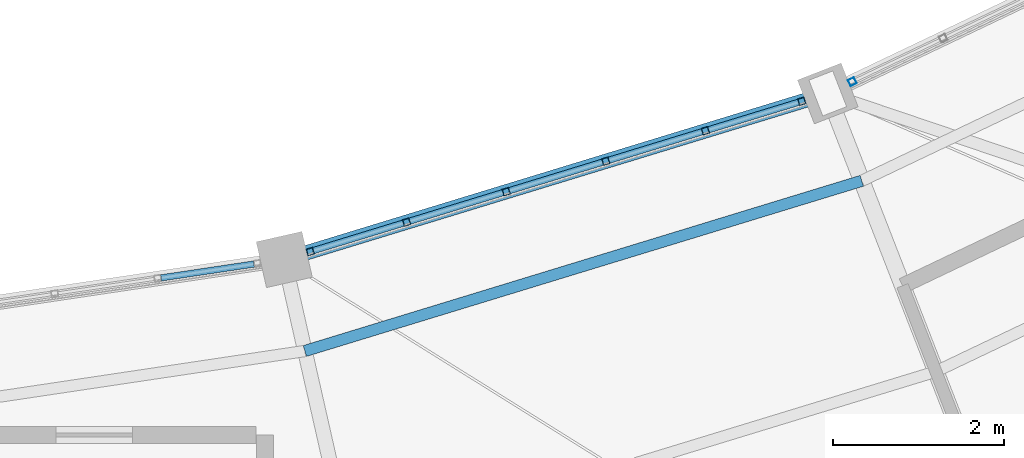
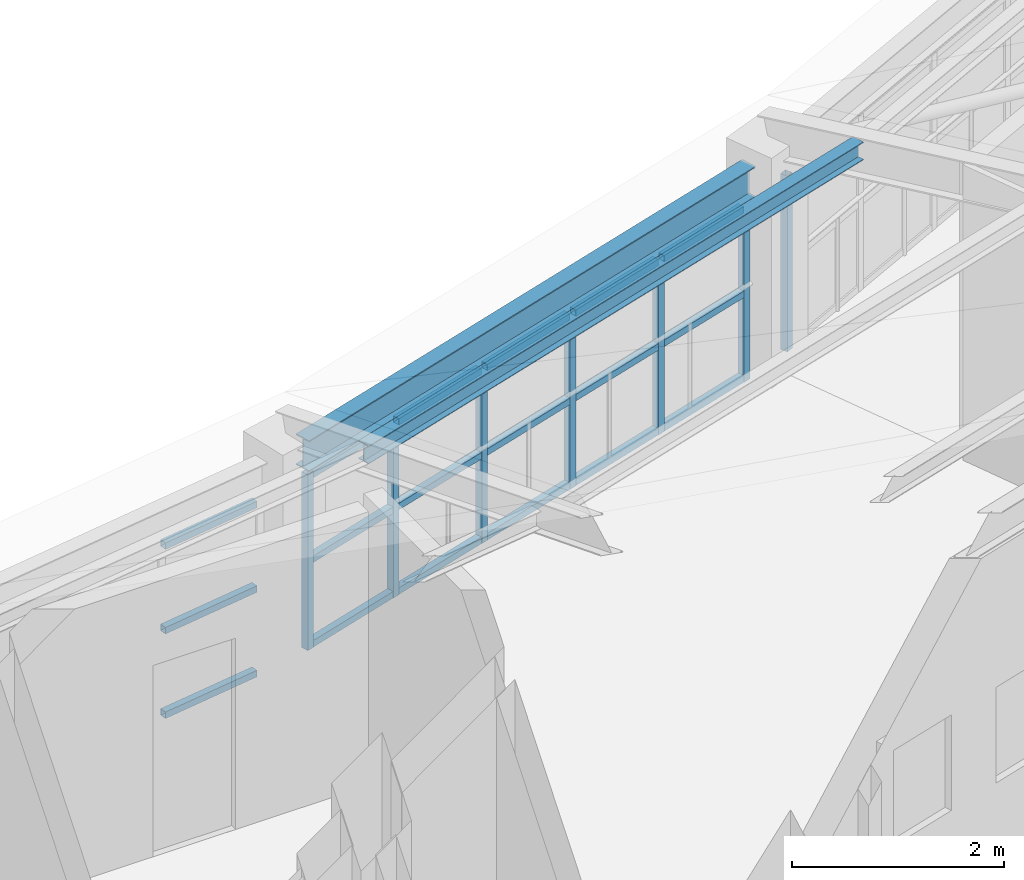
# One storey, part 42 of 149: 26 members, 1 beam, 3 elements without a shape of their own.
"""IFC4 building model written with IfcOpenShell, lengths in metres."""

from ifc_helpers import new_model, si_unit, direction, frame, origin, origin_2d, place, context, subcontext, project, spatial, hollow_rectangle, i_section, extrude, material, material_profile, profile_set, type_object, element, aggregate, save


model = new_model("IFC4")

# Units and contexts
model_context = context("Model", 3, precision=1e-05, world=origin(), true_north=direction((0.0, 1.0)))
body_context = subcontext(model_context, "Body", "Model", "MODEL_VIEW")
ifc_project = project(units=[si_unit("LENGTHUNIT", "METRE"), si_unit("AREAUNIT", "SQUARE_METRE"), si_unit("VOLUMEUNIT", "CUBIC_METRE"), si_unit("PLANEANGLEUNIT", "RADIAN"), si_unit("MASSUNIT", "GRAM", prefix="KILO")], contexts=[model_context])

# Site, building, storey
site_placement = place(None, origin())
site = spatial("IfcSite", under=ifc_project, at=site_placement, CompositionType="ELEMENT")
building_placement = place(site_placement, origin())
building = spatial("IfcBuilding", under=site, at=building_placement, Name="Celadon Cloister-Ring School", CompositionType="ELEMENT")
storey_placement = place(building_placement, frame((0.0, 0.0, 12.5)))
storey = spatial("IfcBuildingStorey", under=building, at=storey_placement, Name="L03", CompositionType="ELEMENT", Elevation=12.5)

# Curtain wall, members
ifc_material_1 = material(Name="Aluminium EN AW-6063 T6", Category="aluminium")
curtain_wall_type = type_object("IfcCurtainWallType", Name="CW-02", PredefinedType="USERDEFINED", material=ifc_material_1)
curtain_wall_1_placement = place(storey_placement, origin())
curtain_wall_1 = element("IfcCurtainWall", 1, at=curtain_wall_1_placement, inside=storey, type_object=curtain_wall_type, Name="Curtain Wall 0063", ObjectType="CURTAIN WALL", PredefinedType="USERDEFINED")
ifc_material_2 = material(Name="Aluminium EN AW-6063 T6", Category="aluminium")
ifc_material_profile_1 = material_profile(ifc_material_2, hollow_rectangle(XDim=0.080078125, YDim=0.080078125, WallThickness=0.00390625, at=origin_2d()), Name="RHS80X80X4")
ifc_profile_set_1 = profile_set([ifc_material_profile_1], Name="Aluminium EN AW-6063 T6")
member_type_1 = type_object("IfcMemberType", Name="CM-03", PredefinedType="MULLION", material=ifc_profile_set_1)
member_1_placement = place(storey_placement, frame((97.232177734375, 15.20166015625, 0.0), z_axis=(0.0, 0.0, 1.0), x_axis=(-0.292405705746, 0.956294360146, 0.0)))
member_1 = element("IfcMember", 2, at=member_1_placement, type_object=member_type_1, Name="CW-02 mullion 1", PredefinedType="MULLION", context=body_context, shape_type="SweptSolid", body=[
    extrude(hollow_rectangle(XDim=0.080078125, YDim=0.080078125, WallThickness=0.00390625, at=origin_2d()), origin(), (0.0, 0.0, 1.0), 2.02001953125),
])
member_2_placement = place(storey_placement, frame((98.3623046875, 15.547119140625, 0.0), z_axis=(0.0, 0.0, 1.0), x_axis=(-0.292405705746, 0.956294360146, 0.0)))
member_2 = element("IfcMember", 3, at=member_2_placement, type_object=member_type_1, Name="CW-02 mullion 2", PredefinedType="MULLION", context=body_context, shape_type="SweptSolid", body=[
    extrude(hollow_rectangle(XDim=0.080078125, YDim=0.080078125, WallThickness=0.00390625, at=origin_2d()), origin(), (0.0, 0.0, 1.0), 2.02001953125),
])
member_3_placement = place(storey_placement, frame((99.530517578125, 15.904296875, 0.0), z_axis=(0.0, 0.0, 1.0), x_axis=(-0.292405705746, 0.956294360146, 0.0)))
member_3 = element("IfcMember", 4, at=member_3_placement, type_object=member_type_1, Name="CW-02 mullion 3", PredefinedType="MULLION", context=body_context, shape_type="SweptSolid", body=[
    extrude(hollow_rectangle(XDim=0.080078125, YDim=0.080078125, WallThickness=0.00390625, at=origin_2d()), origin(), (0.0, 0.0, 1.0), 2.02001953125),
])
member_4_placement = place(storey_placement, frame((100.698486328125, 16.26171875, 0.0), z_axis=(0.0, 0.0, 1.0), x_axis=(-0.292405705746, 0.956294360146, 0.0)))
member_4 = element("IfcMember", 5, at=member_4_placement, type_object=member_type_1, Name="CW-02 mullion 4", PredefinedType="MULLION", context=body_context, shape_type="SweptSolid", body=[
    extrude(hollow_rectangle(XDim=0.080078125, YDim=0.080078125, WallThickness=0.00390625, at=origin_2d()), origin(), (0.0, 0.0, 1.0), 2.02001953125),
])
member_5_placement = place(storey_placement, frame((101.86669921875, 16.618896484375, 0.0), z_axis=(0.0, 0.0, 1.0), x_axis=(-0.292405705746, 0.956294360146, 0.0)))
member_5 = element("IfcMember", 6, at=member_5_placement, type_object=member_type_1, Name="CW-02 mullion 5", PredefinedType="MULLION", context=body_context, shape_type="SweptSolid", body=[
    extrude(hollow_rectangle(XDim=0.080078125, YDim=0.080078125, WallThickness=0.00390625, at=origin_2d()), origin(), (0.0, 0.0, 1.0), 2.02001953125),
])
member_6_placement = place(storey_placement, frame((102.996826171875, 16.96435546875, 0.0), z_axis=(0.0, 0.0, 1.0), x_axis=(-0.292405705746, 0.956294360146, 0.0)))
member_6 = element("IfcMember", 7, at=member_6_placement, type_object=member_type_1, Name="CW-02 mullion 6", PredefinedType="MULLION", context=body_context, shape_type="SweptSolid", body=[
    extrude(hollow_rectangle(XDim=0.080078125, YDim=0.080078125, WallThickness=0.00390625, at=origin_2d()), origin(), (0.0, 0.0, 1.0), 2.02001953125),
])

# Curtain wall, member
curtain_wall_2_placement = place(storey_placement, origin())
curtain_wall_2 = element("IfcCurtainWall", 8, at=curtain_wall_2_placement, inside=storey, type_object=curtain_wall_type, Name="Curtain Wall 0064", ObjectType="CURTAIN WALL", PredefinedType="USERDEFINED")
member_7_placement = place(storey_placement, frame((103.590087890625, 17.1943359375, 0.0), z_axis=(0.0, 0.0, 1.0), x_axis=(-0.430371984189, 0.902651624507, 0.0)))
member_7 = element("IfcMember", 9, at=member_7_placement, type_object=member_type_1, Name="CW-02 mullion 1", PredefinedType="MULLION", context=body_context, shape_type="SweptSolid", body=[
    extrude(hollow_rectangle(XDim=0.080078125, YDim=0.080078125, WallThickness=0.00390625, at=origin_2d()), origin(), (0.0, 0.0, 1.0), 2.02001953125),
])
aggregate(curtain_wall_2, [member_7])

# Curtain wall, members
curtain_wall_3_placement = place(storey_placement, origin())
curtain_wall_3 = element("IfcCurtainWall", 10, at=curtain_wall_3_placement, inside=storey, type_object=curtain_wall_type, Name="Curtain Wall 0062", ObjectType="CURTAIN WALL", PredefinedType="USERDEFINED")
ifc_material_3 = material(Name="Aluminium EN AW-6063 T6", Category="aluminium")
ifc_material_profile_2 = material_profile(ifc_material_3, hollow_rectangle(XDim=0.074951171875, YDim=0.074951171875, WallThickness=0.00390625, at=origin_2d()), Name="RHS75X75X4")
ifc_profile_set_2 = profile_set([ifc_material_profile_2], Name="Aluminium EN AW-6063 T6")
member_type_2 = type_object("IfcMemberType", Name="CTM-03", PredefinedType="USERDEFINED", material=ifc_profile_set_2)
member_8_placement = place(storey_placement, frame((95.482177734375, 14.893310546875, 0.03759765625), z_axis=(0.989015857499, 0.147809450359, 0.0), x_axis=(-0.147809450359, 0.989015857499, 0.0)))
member_8 = element("IfcMember", 11, at=member_8_placement, type_object=member_type_2, Name="CW-02 transom 5.1", ObjectType="TRANSOM", PredefinedType="USERDEFINED", context=body_context, shape_type="SweptSolid", body=[
    extrude(hollow_rectangle(XDim=0.074951171875, YDim=0.074951171875, WallThickness=0.00390625, at=origin_2d()), origin(), (0.0, 0.0, 1.0), 1.101806640625),
])
member_9_placement = place(storey_placement, frame((95.482177734375, 14.893310546875, 1.010009765625), z_axis=(0.989015857499, 0.147809450359, 0.0), x_axis=(-0.147809450359, 0.989015857499, 0.0)))
member_9 = element("IfcMember", 12, at=member_9_placement, type_object=member_type_2, Name="CW-02 transom 5.2", ObjectType="TRANSOM", PredefinedType="USERDEFINED", context=body_context, shape_type="SweptSolid", body=[
    extrude(hollow_rectangle(XDim=0.074951171875, YDim=0.074951171875, WallThickness=0.00390625, at=origin_2d()), origin(), (0.0, 0.0, 1.0), 1.101806640625),
])
member_10_placement = place(storey_placement, frame((95.482177734375, 14.893310546875, 1.982421875), z_axis=(0.989015857499, 0.147809450359, 0.0), x_axis=(-0.147809450359, 0.989015857499, 0.0)))
member_10 = element("IfcMember", 13, at=member_10_placement, type_object=member_type_2, Name="CW-02 transom 5.3", ObjectType="TRANSOM", PredefinedType="USERDEFINED", context=body_context, shape_type="SweptSolid", body=[
    extrude(hollow_rectangle(XDim=0.074951171875, YDim=0.074951171875, WallThickness=0.00390625, at=origin_2d()), origin(), (0.0, 0.0, 1.0), 1.101806640625),
])
aggregate(curtain_wall_3, [member_8, member_9, member_10])

# Member
member_11_placement = place(storey_placement, frame((97.2705078125, 15.21337890625, 0.03759765625), z_axis=(0.956318876314, 0.292325515147, 0.0), x_axis=(-0.292325515147, 0.956318876314, 0.0)))
member_11 = element("IfcMember", 14, at=member_11_placement, type_object=member_type_2, Name="CW-02 transom 1.1", ObjectType="TRANSOM", PredefinedType="USERDEFINED", context=body_context, shape_type="SweptSolid", body=[
    extrude(hollow_rectangle(XDim=0.074951171875, YDim=0.074951171875, WallThickness=0.00390625, at=origin_2d()), origin(), (0.0, 0.0, 1.0), 1.1015625),
])

member_12_placement = place(storey_placement, frame((97.2705078125, 15.21337890625, 1.010009765625), z_axis=(0.956318876314, 0.292325515147, 0.0), x_axis=(-0.292325515147, 0.956318876314, 0.0)))
member_12 = element("IfcMember", 15, at=member_12_placement, type_object=member_type_2, Name="CW-02 transom 1.2", ObjectType="TRANSOM", PredefinedType="USERDEFINED", context=body_context, shape_type="SweptSolid", body=[
    extrude(hollow_rectangle(XDim=0.074951171875, YDim=0.074951171875, WallThickness=0.00390625, at=origin_2d()), origin(), (0.0, 0.0, 1.0), 1.1015625),
])

member_13_placement = place(storey_placement, frame((97.2705078125, 15.21337890625, 1.982421875), z_axis=(0.956318876314, 0.292325515147, 0.0), x_axis=(-0.292325515147, 0.956318876314, 0.0)))
member_13 = element("IfcMember", 16, at=member_13_placement, type_object=member_type_2, Name="CW-02 transom 1.3", ObjectType="TRANSOM", PredefinedType="USERDEFINED", context=body_context, shape_type="SweptSolid", body=[
    extrude(hollow_rectangle(XDim=0.074951171875, YDim=0.074951171875, WallThickness=0.00390625, at=origin_2d()), origin(), (0.0, 0.0, 1.0), 1.1015625),
])

member_14_placement = place(storey_placement, frame((98.400390625, 15.558837890625, 0.03759765625), z_axis=(0.956258565169, 0.292522745338, 0.0), x_axis=(-0.292522745338, 0.956258565169, 0.0)))
member_14 = element("IfcMember", 17, at=member_14_placement, type_object=member_type_2, Name="CW-02 transom 2.1", ObjectType="TRANSOM", PredefinedType="USERDEFINED", context=body_context, shape_type="SweptSolid", body=[
    extrude(hollow_rectangle(XDim=0.074951171875, YDim=0.074951171875, WallThickness=0.00390625, at=origin_2d()), origin(), (0.0, 0.0, 1.0), 1.141845703125),
])

member_15_placement = place(storey_placement, frame((98.400390625, 15.558837890625, 1.010009765625), z_axis=(0.956258565169, 0.292522745338, 0.0), x_axis=(-0.292522745338, 0.956258565169, 0.0)))
member_15 = element("IfcMember", 18, at=member_15_placement, type_object=member_type_2, Name="CW-02 transom 2.2", ObjectType="TRANSOM", PredefinedType="USERDEFINED", context=body_context, shape_type="SweptSolid", body=[
    extrude(hollow_rectangle(XDim=0.074951171875, YDim=0.074951171875, WallThickness=0.00390625, at=origin_2d()), origin(), (0.0, 0.0, 1.0), 1.141845703125),
])

member_16_placement = place(storey_placement, frame((98.400390625, 15.558837890625, 1.982421875), z_axis=(0.956258565169, 0.292522745338, 0.0), x_axis=(-0.292522745338, 0.956258565169, 0.0)))
member_16 = element("IfcMember", 19, at=member_16_placement, type_object=member_type_2, Name="CW-02 transom 2.3", ObjectType="TRANSOM", PredefinedType="USERDEFINED", context=body_context, shape_type="SweptSolid", body=[
    extrude(hollow_rectangle(XDim=0.074951171875, YDim=0.074951171875, WallThickness=0.00390625, at=origin_2d()), origin(), (0.0, 0.0, 1.0), 1.141845703125),
])

member_17_placement = place(storey_placement, frame((99.568603515625, 15.916015625, 0.03759765625), z_axis=(0.956258565169, 0.292522745338, 0.0), x_axis=(-0.292522745338, 0.956258565169, 0.0)))
member_17 = element("IfcMember", 20, at=member_17_placement, type_object=member_type_2, Name="CW-02 transom 3.1", ObjectType="TRANSOM", PredefinedType="USERDEFINED", context=body_context, shape_type="SweptSolid", body=[
    extrude(hollow_rectangle(XDim=0.074951171875, YDim=0.074951171875, WallThickness=0.00390625, at=origin_2d()), origin(), (0.0, 0.0, 1.0), 1.141845703125),
])

member_18_placement = place(storey_placement, frame((99.568603515625, 15.916015625, 1.010009765625), z_axis=(0.956258565169, 0.292522745338, 0.0), x_axis=(-0.292522745338, 0.956258565169, 0.0)))
member_18 = element("IfcMember", 21, at=member_18_placement, type_object=member_type_2, Name="CW-02 transom 3.2", ObjectType="TRANSOM", PredefinedType="USERDEFINED", context=body_context, shape_type="SweptSolid", body=[
    extrude(hollow_rectangle(XDim=0.074951171875, YDim=0.074951171875, WallThickness=0.00390625, at=origin_2d()), origin(), (0.0, 0.0, 1.0), 1.141845703125),
])

member_19_placement = place(storey_placement, frame((99.568603515625, 15.916015625, 1.982421875), z_axis=(0.956258565169, 0.292522745338, 0.0), x_axis=(-0.292522745338, 0.956258565169, 0.0)))
member_19 = element("IfcMember", 22, at=member_19_placement, type_object=member_type_2, Name="CW-02 transom 3.3", ObjectType="TRANSOM", PredefinedType="USERDEFINED", context=body_context, shape_type="SweptSolid", body=[
    extrude(hollow_rectangle(XDim=0.074951171875, YDim=0.074951171875, WallThickness=0.00390625, at=origin_2d()), origin(), (0.0, 0.0, 1.0), 1.141845703125),
])

member_20_placement = place(storey_placement, frame((100.73681640625, 16.273193359375, 0.03759765625), z_axis=(0.956258565169, 0.292522745338, 0.0), x_axis=(-0.292522745338, 0.956258565169, 0.0)))
member_20 = element("IfcMember", 23, at=member_20_placement, type_object=member_type_2, Name="CW-02 transom 4.1", ObjectType="TRANSOM", PredefinedType="USERDEFINED", context=body_context, shape_type="SweptSolid", body=[
    extrude(hollow_rectangle(XDim=0.074951171875, YDim=0.074951171875, WallThickness=0.00390625, at=origin_2d()), origin(), (0.0, 0.0, 1.0), 1.141845703125),
])

member_21_placement = place(storey_placement, frame((100.73681640625, 16.273193359375, 1.010009765625), z_axis=(0.956258565169, 0.292522745338, 0.0), x_axis=(-0.292522745338, 0.956258565169, 0.0)))
member_21 = element("IfcMember", 24, at=member_21_placement, type_object=member_type_2, Name="CW-02 transom 4.2", ObjectType="TRANSOM", PredefinedType="USERDEFINED", context=body_context, shape_type="SweptSolid", body=[
    extrude(hollow_rectangle(XDim=0.074951171875, YDim=0.074951171875, WallThickness=0.00390625, at=origin_2d()), origin(), (0.0, 0.0, 1.0), 1.141845703125),
])

member_22_placement = place(storey_placement, frame((100.73681640625, 16.273193359375, 1.982421875), z_axis=(0.956258565169, 0.292522745338, 0.0), x_axis=(-0.292522745338, 0.956258565169, 0.0)))
member_22 = element("IfcMember", 25, at=member_22_placement, type_object=member_type_2, Name="CW-02 transom 4.3", ObjectType="TRANSOM", PredefinedType="USERDEFINED", context=body_context, shape_type="SweptSolid", body=[
    extrude(hollow_rectangle(XDim=0.074951171875, YDim=0.074951171875, WallThickness=0.00390625, at=origin_2d()), origin(), (0.0, 0.0, 1.0), 1.141845703125),
])

member_23_placement = place(storey_placement, frame((101.905029296875, 16.630615234375, 0.03759765625), z_axis=(0.956318876314, 0.292325515147, 0.0), x_axis=(-0.292325515147, 0.956318876314, 0.0)))
member_23 = element("IfcMember", 26, at=member_23_placement, type_object=member_type_2, Name="CW-02 transom 5.1", ObjectType="TRANSOM", PredefinedType="USERDEFINED", context=body_context, shape_type="SweptSolid", body=[
    extrude(hollow_rectangle(XDim=0.074951171875, YDim=0.074951171875, WallThickness=0.00390625, at=origin_2d()), origin(), (0.0, 0.0, 1.0), 1.1015625),
])

member_24_placement = place(storey_placement, frame((101.905029296875, 16.630615234375, 1.010009765625), z_axis=(0.956318876314, 0.292325515147, 0.0), x_axis=(-0.292325515147, 0.956318876314, 0.0)))
member_24 = element("IfcMember", 27, at=member_24_placement, type_object=member_type_2, Name="CW-02 transom 5.2", ObjectType="TRANSOM", PredefinedType="USERDEFINED", context=body_context, shape_type="SweptSolid", body=[
    extrude(hollow_rectangle(XDim=0.074951171875, YDim=0.074951171875, WallThickness=0.00390625, at=origin_2d()), origin(), (0.0, 0.0, 1.0), 1.1015625),
])

member_25_placement = place(storey_placement, frame((101.905029296875, 16.630615234375, 1.982421875), z_axis=(0.956318876314, 0.292325515147, 0.0), x_axis=(-0.292325515147, 0.956318876314, 0.0)))
member_25 = element("IfcMember", 28, at=member_25_placement, type_object=member_type_2, Name="CW-02 transom 5.3", ObjectType="TRANSOM", PredefinedType="USERDEFINED", context=body_context, shape_type="SweptSolid", body=[
    extrude(hollow_rectangle(XDim=0.074951171875, YDim=0.074951171875, WallThickness=0.00390625, at=origin_2d()), origin(), (0.0, 0.0, 1.0), 1.1015625),
])

aggregate(curtain_wall_1, [member_1, member_2, member_3, member_4, member_5, member_6, member_11, member_12, member_13, member_14, member_15, member_16, member_17, member_18, member_19, member_20, member_21, member_22, member_23, member_24, member_25])

# Beam
ifc_material_4 = material(Name="Structural steel S355JR", Category="steel")
ifc_material_profile_3 = material_profile(ifc_material_4, i_section(OverallWidth=0.1708984375, OverallDepth=0.35498046875, WebThickness=0.007080078125, FlangeThickness=0.01171875, at=origin_2d()), Name="W360X51")
ifc_profile_set_3 = profile_set([ifc_material_profile_3], Name="Structural steel S355JR")
beam_type = type_object("IfcBeamType", Name="GT-08", PredefinedType="USERDEFINED", material=ifc_profile_set_3)
beam_placement = place(storey_placement, frame((97.166015625, 15.181884765625, 2.27197265625), z_axis=(0.956344808861, 0.292240665488, 0.0), x_axis=(-0.292240665488, 0.956344808861, 0.0)))
element("IfcBeam", 29, at=beam_placement, inside=storey, type_object=beam_type, Name="Beam 0560", ObjectType="GIRDER", PredefinedType="USERDEFINED", context=body_context, shape_type="SweptSolid", body=[
    extrude(i_section(OverallWidth=0.1708984375, OverallDepth=0.35498046875, WebThickness=0.007080078125, FlangeThickness=0.01171875, at=origin_2d()), origin(), (0.0, 0.0, 1.0), 6.166259765625),
])

# Member
ifc_material_5 = material(Name="Structural steel S355JR", Category="steel")
ifc_material_profile_4 = material_profile(ifc_material_5, i_section(OverallWidth=0.133056640625, OverallDepth=0.20703125, WebThickness=0.005859375, FlangeThickness=0.00830078125, at=origin_2d()), Name="W200X27")
ifc_profile_set_4 = profile_set([ifc_material_profile_4], Name="Structural steel S355JR")
member_type_3 = type_object("IfcMemberType", Name="MP-04", PredefinedType="PURLIN", material=ifc_profile_set_4)
member_26_placement = place(storey_placement, frame((97.1689453125, 14.035888671875, 2.970947265625), z_axis=(0.95634296876, 0.292246687071, 0.0), x_axis=(-0.292246687071, 0.95634296876, 0.0)))
element("IfcMember", 30, at=member_26_placement, inside=storey, type_object=member_type_3, Name="Structural Member 0174", PredefinedType="PURLIN", context=body_context, shape_type="SweptSolid", body=[
    extrude(i_section(OverallWidth=0.133056640625, OverallDepth=0.20703125, WebThickness=0.005859375, FlangeThickness=0.00830078125, at=origin_2d()), origin(), (0.0, 0.0, 1.0), 6.830078125),
])

save(model, "model.ifc")
